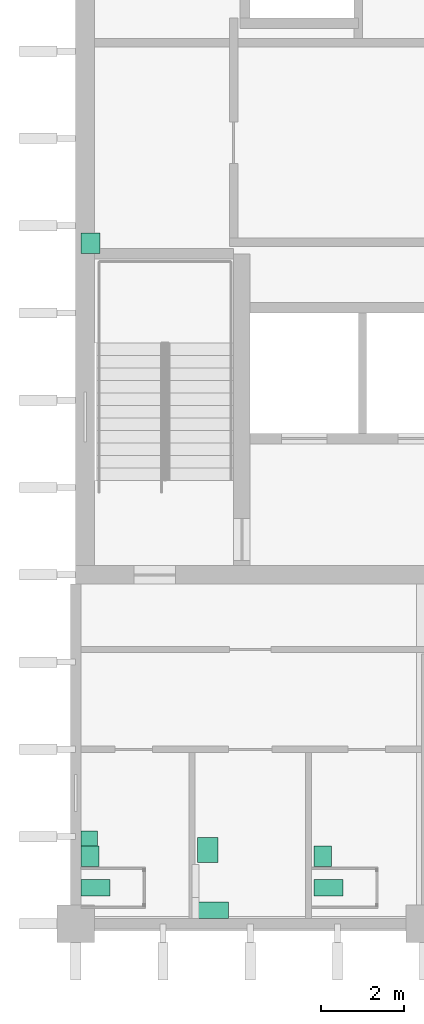
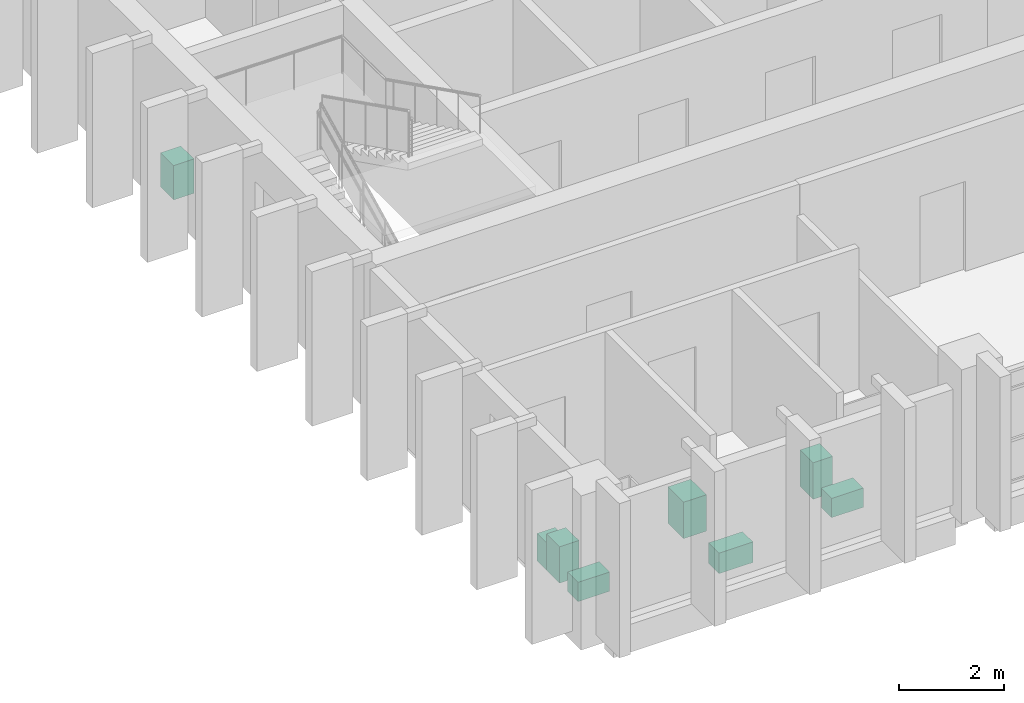
# One storey, part 10 of 10: 8 sanitary terminals.
"""IFC4 building model written with IfcOpenShell, lengths in metres."""

from ifc_helpers import new_model, si_unit, direction, frame, origin, origin_2d, place, context, subcontext, project, spatial, rectangle, extrude, material, type_object, element, save


model = new_model("IFC4")

# Units and contexts
model_context = context("Model", 3, precision=1e-05, world=origin(), true_north=direction((0.0, 1.0)))
body_context = subcontext(model_context, "Body", "Model", "MODEL_VIEW")
ifc_project = project(units=[si_unit("LENGTHUNIT", "METRE"), si_unit("AREAUNIT", "SQUARE_METRE"), si_unit("VOLUMEUNIT", "CUBIC_METRE"), si_unit("PLANEANGLEUNIT", "RADIAN"), si_unit("MASSUNIT", "GRAM", prefix="KILO")], contexts=[model_context])

# Site, building, storey
site_placement = place(None, origin())
site = spatial("IfcSite", under=ifc_project, at=site_placement, CompositionType="ELEMENT")
building_placement = place(site_placement, origin())
building = spatial("IfcBuilding", under=site, at=building_placement, Name="Rulbaag Community and Learning Centre", CompositionType="ELEMENT")
storey_placement = place(building_placement, frame((0.0, 0.0, 28.800048828125)))
storey = spatial("IfcBuildingStorey", under=building, at=storey_placement, Name="L07", CompositionType="ELEMENT", Elevation=28.800048828125)

# Sanitary terminals
ifc_material_1 = material(Name="Vitreous china", Category="ceramic")
sanitary_terminal_type_1 = type_object("IfcSanitaryTerminalType", Name="BS-500", PredefinedType="WASHHANDBASIN", material=ifc_material_1)
for number, where, z_axis, x_axis, name in (
    (1, (143.14501953125, 85.6298828125, 0.0), (0.0, 0.0, 1.0), (1.0, 0.0, 0.0), "Basin 84"),
    (2, (148.7451171875, 85.6298828125, 0.0), (0.0, 0.0, 1.0), (1.0, 0.0, 0.0), "Basin 85"),
):
    element("IfcSanitaryTerminal", number, at=place(storey_placement, frame(where, z_axis=z_axis, x_axis=x_axis)), inside=storey, type_object=sanitary_terminal_type_1, Name=name, PredefinedType="WASHHANDBASIN", context=body_context, shape_type="SweptSolid", body=[
        extrude(rectangle(XDim=0.429931640625, YDim=0.5, at=origin_2d()), origin(), (0.0, 0.0, 1.0), 0.85009765625),
    ])
sanitary_terminal_type_2 = type_object("IfcSanitaryTerminalType", Name="BS-AC-600", PredefinedType="WASHHANDBASIN", material=ifc_material_1)
sanitary_terminal_1_placement = place(storey_placement, frame((145.97998046875, 85.780029296875, 0.0), z_axis=(0.0, 0.0, 1.0), x_axis=(1.0, 0.0, 0.0)))
element("IfcSanitaryTerminal", 3, at=sanitary_terminal_1_placement, inside=storey, type_object=sanitary_terminal_type_2, Name="Basin 86", PredefinedType="WASHHANDBASIN", context=body_context, shape_type="SweptSolid", body=[
    extrude(rectangle(XDim=0.5, YDim=0.60009765625, at=origin_2d()), origin(), (0.0, 0.0, 1.0), 0.85009765625),
])
ifc_material_2 = material(Name="Stainless steel", Category="steel")
sanitary_terminal_type_3 = type_object("IfcSanitaryTerminalType", Name="SK-CL-500", PredefinedType="SINK", material=ifc_material_2)
sanitary_terminal_2_placement = place(storey_placement, frame((143.155029296875, 100.3798828125, 0.0), z_axis=(0.0, 0.0, 1.0), x_axis=(1.0, 0.0, 0.0)))
element("IfcSanitaryTerminal", 4, at=sanitary_terminal_2_placement, inside=storey, type_object=sanitary_terminal_type_3, Name="Sink 16", PredefinedType="SINK", context=body_context, shape_type="SweptSolid", body=[
    extrude(rectangle(XDim=0.449951171875, YDim=0.5, at=origin_2d()), origin(), (0.0, 0.0, 1.0), 0.800048828125),
])
sanitary_terminal_type_4 = type_object("IfcSanitaryTerminalType", Name="UR-350", PredefinedType="URINAL", material=ifc_material_1)
sanitary_terminal_3_placement = place(storey_placement, frame((143.1298828125, 86.054931640625, 0.0), z_axis=(0.0, 0.0, 1.0), x_axis=(1.0, 0.0, 0.0)))
element("IfcSanitaryTerminal", 5, at=sanitary_terminal_3_placement, inside=storey, type_object=sanitary_terminal_type_4, Name="Urinal 157", PredefinedType="URINAL", context=body_context, shape_type="SweptSolid", body=[
    extrude(rectangle(XDim=0.39990234375, YDim=0.35009765625, at=origin_2d()), origin(), (0.0, 0.0, 1.0), 0.64990234375),
])
sanitary_terminal_type_5 = type_object("IfcSanitaryTerminalType", Name="WC-400", PredefinedType="TOILETPAN", material=ifc_material_1)
for number, where, z_axis, x_axis, name in (
    (6, (143.280029296875, 84.8701171875, 0.0), (0.0, 0.0, 1.0), (1.0, 0.0, 0.0), "WC 143"),
    (7, (148.8798828125, 84.8701171875, 0.0), (0.0, 0.0, 1.0), (1.0, 0.0, 0.0), "WC 144"),
):
    element("IfcSanitaryTerminal", number, at=place(storey_placement, frame(where, z_axis=z_axis, x_axis=x_axis)), inside=storey, type_object=sanitary_terminal_type_5, Name=name, PredefinedType="TOILETPAN", context=body_context, shape_type="SweptSolid", body=[
        extrude(rectangle(XDim=0.699951171875, YDim=0.39990234375, at=origin_2d()), origin(), (0.0, 0.0, 1.0), 0.449951171875),
    ])
sanitary_terminal_type_6 = type_object("IfcSanitaryTerminalType", Name="WC-AC-480", PredefinedType="TOILETPAN", material=ifc_material_1)
sanitary_terminal_4_placement = place(storey_placement, frame((146.10498046875, 84.330078125, 0.0), z_axis=(0.0, 0.0, 1.0), x_axis=(1.0, 0.0, 0.0)))
element("IfcSanitaryTerminal", 8, at=sanitary_terminal_4_placement, inside=storey, type_object=sanitary_terminal_type_6, Name="WC 145", PredefinedType="TOILETPAN", context=body_context, shape_type="SweptSolid", body=[
    extrude(rectangle(XDim=0.75, YDim=0.39990234375, at=origin_2d()), origin(), (0.0, 0.0, 1.0), 0.47998046875),
])

save(model, "model.ifc")
